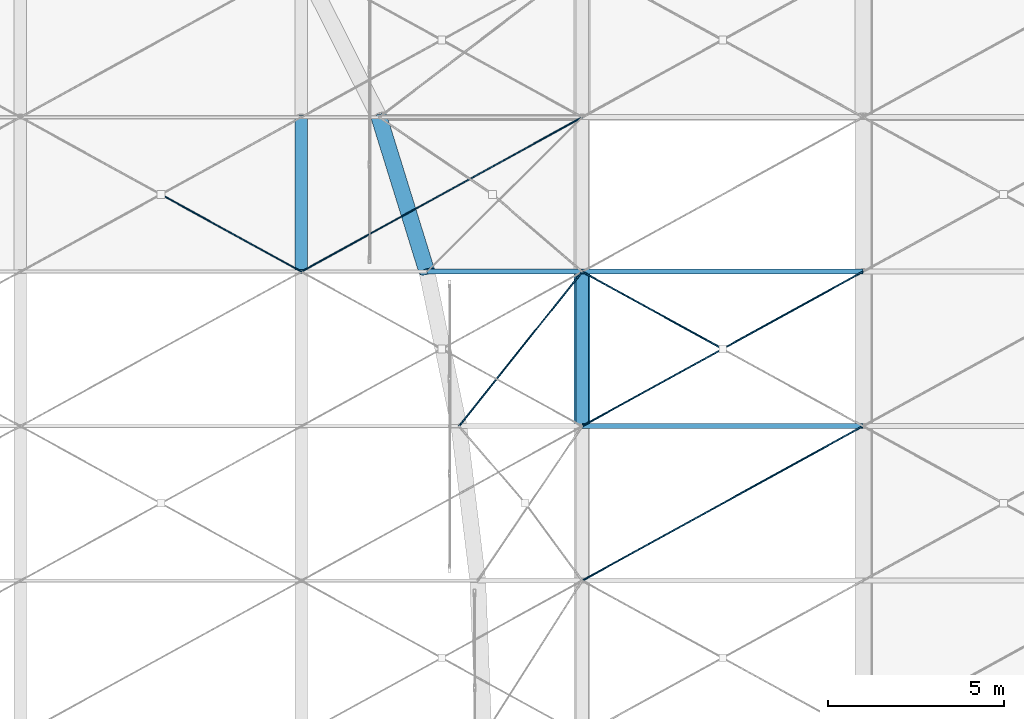
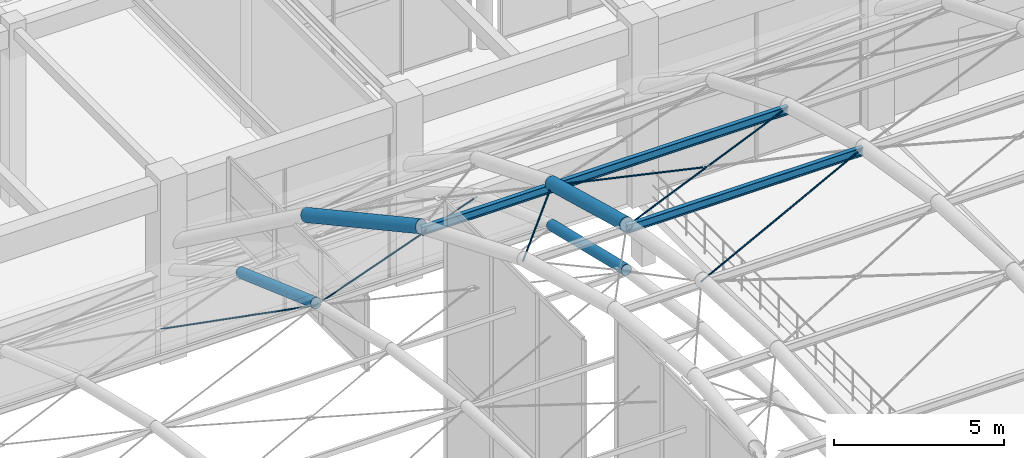
# One storey, part 59 of 163: 7 beams, 6 members.
"""IFC4 building model written with IfcOpenShell, lengths in metres."""

from ifc_helpers import new_model, si_unit, direction, frame, origin, origin_2d, place, context, subcontext, project, spatial, circle, hollow_circle, i_section, extrude, material, material_profile, profile_set, type_object, element, save


model = new_model("IFC4")

# Units and contexts
model_context = context("Model", 3, precision=1e-05, world=origin(), true_north=direction((0.0, 1.0)))
body_context = subcontext(model_context, "Body", "Model", "MODEL_VIEW")
ifc_project = project(units=[si_unit("LENGTHUNIT", "METRE"), si_unit("AREAUNIT", "SQUARE_METRE"), si_unit("VOLUMEUNIT", "CUBIC_METRE"), si_unit("PLANEANGLEUNIT", "RADIAN"), si_unit("MASSUNIT", "GRAM", prefix="KILO")], contexts=[model_context])

# Site, building, storey
site_placement = place(None, origin())
site = spatial("IfcSite", under=ifc_project, at=site_placement, CompositionType="ELEMENT")
building_placement = place(site_placement, origin())
building = spatial("IfcBuilding", under=site, at=building_placement, Name="Varnabhumi Central Station", CompositionType="ELEMENT")
storey_placement = place(building_placement, frame((0.0, 0.0, 9.60009765625)))
storey = spatial("IfcBuildingStorey", under=building, at=storey_placement, Name="L02", CompositionType="ELEMENT", Elevation=9.60009765625)

# Beams
ifc_material_1 = material(Name="Structural steel E350", Category="steel")
ifc_material_profile_1 = material_profile(ifc_material_1, hollow_circle(Radius=0.177734375, WallThickness=0.012451171875, at=origin_2d()), Name="Structural steel E350", Category="steel")
ifc_profile_set_1 = profile_set([ifc_material_profile_1], Name="Structural steel E350")
beam_type_1 = type_object("IfcBeamType", Name="BM-ARCH-CHS355", PredefinedType="BEAM", material=ifc_profile_set_1)
beam_1_placement = place(storey_placement, frame((40.0, 71.199951171875, 7.127685546875), z_axis=(0.0, 0.941622467523, -0.336670653094), x_axis=(-1.0, 0.0, 0.0)))
element("IfcBeam", 1, at=beam_1_placement, inside=storey, type_object=beam_type_1, Name="Entrance Portico Vault Arch Rib 4 Seg 9", PredefinedType="BEAM", context=body_context, shape_type="SweptSolid", body=[
    extrude(hollow_circle(Radius=0.177734375, WallThickness=0.012451171875, at=origin_2d()), origin(), (0.0, 0.0, 1.0), 4.6728515625),
])
beam_2_placement = place(storey_placement, frame((48.0, 66.800048828125, 8.182373046875), z_axis=(0.0, 0.972451917694, -0.2331035559), x_axis=(-1.0, 0.0, 0.0)))
element("IfcBeam", 2, at=beam_2_placement, inside=storey, type_object=beam_type_1, Name="Entrance Portico Vault Arch Rib 5 Seg 8", PredefinedType="BEAM", context=body_context, shape_type="SweptSolid", body=[
    extrude(hollow_circle(Radius=0.177734375, WallThickness=0.012451171875, at=origin_2d()), origin(), (0.0, 0.0, 1.0), 4.524658203125),
])
ifc_material_2 = material(Name="Structural steel E450", Category="steel")
ifc_material_profile_2 = material_profile(ifc_material_2, hollow_circle(Radius=0.228515625, WallThickness=0.01611328125, at=origin_2d()), Name="Structural steel E450", Category="steel")
ifc_profile_set_2 = profile_set([ifc_material_profile_2], Name="Structural steel E450")
beam_type_2 = type_object("IfcBeamType", Name="BM-ARCH-CHS457", PredefinedType="BEAM", material=ifc_profile_set_2)
beam_3_placement = place(storey_placement, frame((43.577392578125, 71.199951171875, 8.6279296875), z_axis=(-0.276040852247, 0.890793962409, -0.36095368737), x_axis=(-0.95518924728, -0.295995780173, 0.0)))
element("IfcBeam", 3, at=beam_3_placement, inside=storey, type_object=beam_type_2, Name="Ticket Hall Vault Arch Rib 1 Seg 9", PredefinedType="BEAM", context=body_context, shape_type="SweptSolid", body=[
    extrude(hollow_circle(Radius=0.228515625, WallThickness=0.01611328125, at=origin_2d()), origin(), (0.0, 0.0, 1.0), 4.939697265625),
])
beam_4_placement = place(storey_placement, frame((48.0, 66.800048828125, 9.8232421875), z_axis=(0.0, 0.965022848722, -0.262165789998), x_axis=(-1.0, 0.0, 0.0)))
element("IfcBeam", 4, at=beam_4_placement, inside=storey, type_object=beam_type_2, Name="Ticket Hall Vault Arch Rib 2 Seg 8", PredefinedType="BEAM", context=body_context, shape_type="SweptSolid", body=[
    extrude(hollow_circle(Radius=0.228515625, WallThickness=0.01611328125, at=origin_2d()), origin(), (0.0, 0.0, 1.0), 4.559326171875),
])
ifc_material_profile_3 = material_profile(ifc_material_1, i_section(OverallWidth=0.139892578125, OverallDepth=0.300048828125, WebThickness=0.0078125, FlangeThickness=0.01318359375, FilletRadius=0.013916015625, at=origin_2d()), Name="Structural steel E350", Category="steel")
ifc_profile_set_3 = profile_set([ifc_material_profile_3], Name="Structural steel E350")
beam_type_3 = type_object("IfcBeamType", Name="BM-PUR-ISMB300", PredefinedType="LINTEL", material=ifc_profile_set_3)
beam_5_placement = place(storey_placement, frame((43.577392578125, 71.199951171875, 8.477783203125), z_axis=(1.0, 0.0, 0.0), x_axis=(0.0, 1.0, 0.0)))
element("IfcBeam", 5, at=beam_5_placement, inside=storey, type_object=beam_type_3, Name="Ticket Hall Vault Purlin B1-L8", PredefinedType="LINTEL", context=body_context, shape_type="SweptSolid", body=[
    extrude(i_section(OverallWidth=0.139892578125, OverallDepth=0.300048828125, WebThickness=0.0078125, FlangeThickness=0.01318359375, FilletRadius=0.013916015625, at=origin_2d()), origin(), (0.0, 0.0, 1.0), 4.422607421875),
])
for number, where, z_axis, x_axis, name in (
    (6, (48.0, 66.800048828125, 9.67333984375), (1.0, 0.0, 0.0), (0.0, 1.0, 0.0), "Ticket Hall Vault Purlin B2-L7"),
    (7, (48.0, 71.199951171875, 8.477783203125), (1.0, 0.0, 0.0), (0.0, 1.0, 0.0), "Ticket Hall Vault Purlin B2-L8"),
):
    element("IfcBeam", number, at=place(storey_placement, frame(where, z_axis=z_axis, x_axis=x_axis)), inside=storey, type_object=beam_type_3, Name=name, PredefinedType="LINTEL", context=body_context, shape_type="SweptSolid", body=[
        extrude(i_section(OverallWidth=0.139892578125, OverallDepth=0.300048828125, WebThickness=0.0078125, FlangeThickness=0.01318359375, FilletRadius=0.013916015625, at=origin_2d()), origin(), (0.0, 0.0, 1.0), 8.0),
    ])

# Members
ifc_material_3 = material(Name="Spiral-strand steel S1570", Category="steel")
ifc_material_profile_4 = material_profile(ifc_material_3, circle(Radius=0.01806640625, at=origin_2d()), Name="Spiral-strand steel S1570", Category="steel")
ifc_profile_set_4 = profile_set([ifc_material_profile_4], Name="Spiral-strand steel S1570")
member_type_1 = type_object("IfcMemberType", Name="MBR-CABLE-D36", PredefinedType="USERDEFINED", material=ifc_profile_set_4)
member_1_placement = place(storey_placement, frame((36.0, 73.39990234375, 6.260986328125), z_axis=(0.863494797148, -0.474911597723, 0.169810805445), x_axis=(0.481910537812, 0.876220425204, 0.0)))
element("IfcMember", 8, at=member_1_placement, inside=storey, type_object=member_type_1, Name="Entrance Portico Vault Cable-Net Split Tie B3-P9B2", ObjectType="TENSION CABLE", PredefinedType="USERDEFINED", context=body_context, shape_type="SweptSolid", body=[
    extrude(circle(Radius=0.01806640625, at=origin_2d()), origin(), (0.0, 0.0, 1.0), 4.63232421875),
])
member_2_placement = place(storey_placement, frame((40.0, 71.199951171875, 7.047607421875), z_axis=(0.86348399062, 0.474932005705, -0.169808680284), x_axis=(-0.481931067474, 0.876209133828, 0.0)))
element("IfcMember", 9, at=member_2_placement, inside=storey, type_object=member_type_1, Name="Entrance Portico Vault Cable-Net Tie B4-P9A", ObjectType="TENSION CABLE", PredefinedType="USERDEFINED", context=body_context, shape_type="SweptSolid", body=[
    extrude(circle(Radius=0.01806640625, at=origin_2d()), origin(), (0.0, 0.0, 1.0), 9.264892578125),
])
ifc_material_profile_5 = material_profile(ifc_material_3, circle(Radius=0.02099609375, at=origin_2d()), Name="Spiral-strand steel S1570", Category="steel")
ifc_profile_set_5 = profile_set([ifc_material_profile_5], Name="Spiral-strand steel S1570")
member_type_2 = type_object("IfcMemberType", Name="MBR-CABLE-D42", PredefinedType="USERDEFINED", material=ifc_profile_set_5)
member_3_placement = place(storey_placement, frame((44.491455078125, 66.800048828125, 9.743408203125), z_axis=(0.609850870005, 0.764785497128, -0.207810153115), x_axis=(-0.781854013129, 0.623461548256, 0.0)))
element("IfcMember", 10, at=member_3_placement, inside=storey, type_object=member_type_2, Name="Ticket Hall Vault Cable-Net Tie B1-P8A", ObjectType="TENSION CABLE", PredefinedType="USERDEFINED", context=body_context, shape_type="SweptSolid", body=[
    extrude(circle(Radius=0.02099609375, at=origin_2d()), origin(), (0.0, 0.0, 1.0), 5.753173828125),
])
member_4_placement = place(storey_placement, frame((48.0, 62.39990234375, 10.440185546875), z_axis=(0.873668690933, 0.480533777365, -0.076094068723), x_axis=(-0.481931067474, 0.876209133828, 0.0)))
element("IfcMember", 11, at=member_4_placement, inside=storey, type_object=member_type_2, Name="Ticket Hall Vault Cable-Net Tie B2-P7A", ObjectType="TENSION CABLE", PredefinedType="USERDEFINED", context=body_context, shape_type="SweptSolid", body=[
    extrude(circle(Radius=0.02099609375, at=origin_2d()), origin(), (0.0, 0.0, 1.0), 9.15673828125),
])
member_5_placement = place(storey_placement, frame((48.0, 66.800048828125, 9.743408203125), z_axis=(0.868803417008, 0.477831273844, -0.129837961825), x_axis=(-0.481910537812, 0.876220425204, 0.0)))
element("IfcMember", 12, at=member_5_placement, inside=storey, type_object=member_type_2, Name="Ticket Hall Vault Cable-Net Tie B2-P8A", ObjectType="TENSION CABLE", PredefinedType="USERDEFINED", context=body_context, shape_type="SweptSolid", body=[
    extrude(circle(Radius=0.02099609375, at=origin_2d()), origin(), (0.0, 0.0, 1.0), 9.2080078125),
])
member_6_placement = place(storey_placement, frame((48.0, 71.199951171875, 8.5478515625), z_axis=(0.86880640757, -0.477832918616, 0.129811894881), x_axis=(0.481910537812, 0.876220425204, 0.0)))
element("IfcMember", 13, at=member_6_placement, inside=storey, type_object=member_type_2, Name="Ticket Hall Vault Cable-Net Split Tie B2-P8B1", ObjectType="TENSION CABLE", PredefinedType="USERDEFINED", context=body_context, shape_type="SweptSolid", body=[
    extrude(circle(Radius=0.02099609375, at=origin_2d()), origin(), (0.0, 0.0, 1.0), 4.60400390625),
])

save(model, "model.ifc")
